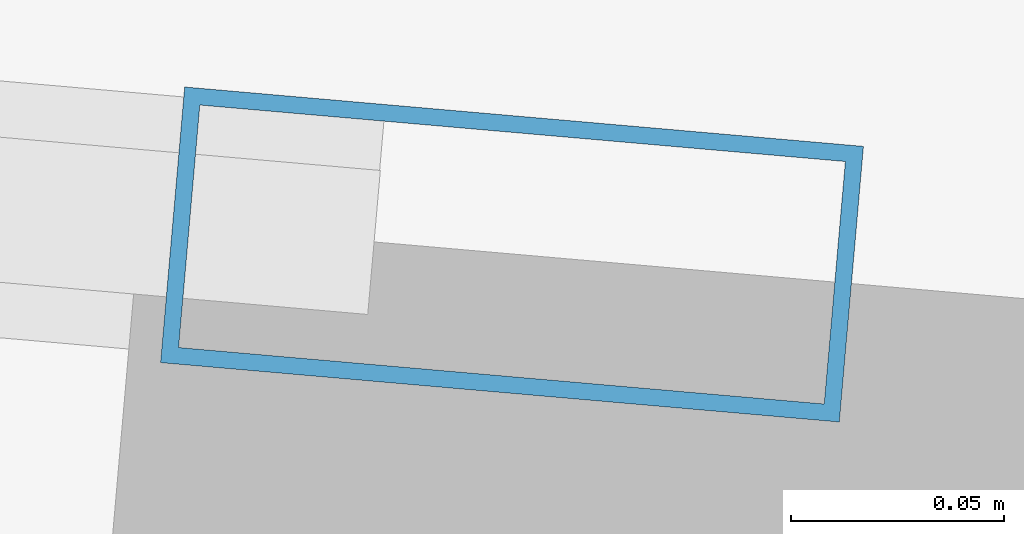
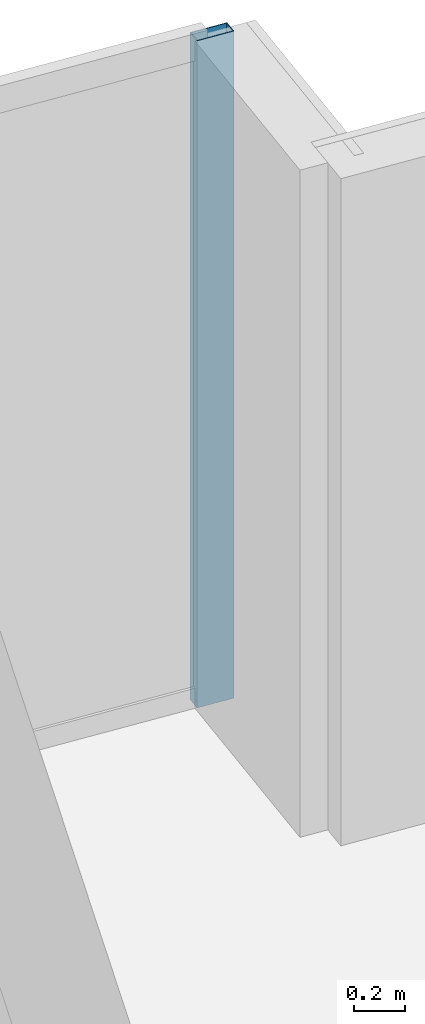
# One storey, part 22 of 33: 1 member, 1 element without a shape of its own.
"""IFC4 building model written with IfcOpenShell, lengths in metres."""

from ifc_helpers import new_model, si_unit, direction, frame, origin, origin_2d, place, context, subcontext, project, spatial, hollow_rectangle, extrude, material, material_profile, profile_set, type_object, element, aggregate, save


model = new_model("IFC4")

# Units and contexts
model_context = context("Model", 3, precision=1e-05, world=origin(), true_north=direction((0.0, 1.0)))
body_context = subcontext(model_context, "Body", "Model", "MODEL_VIEW")
ifc_project = project(units=[si_unit("LENGTHUNIT", "METRE"), si_unit("AREAUNIT", "SQUARE_METRE"), si_unit("VOLUMEUNIT", "CUBIC_METRE"), si_unit("PLANEANGLEUNIT", "RADIAN"), si_unit("MASSUNIT", "GRAM", prefix="KILO")], contexts=[model_context])

# Site, building, storey
site_placement = place(None, origin())
site = spatial("IfcSite", under=ifc_project, at=site_placement, CompositionType="ELEMENT")
building_placement = place(site_placement, origin())
building = spatial("IfcBuilding", under=site, at=building_placement, Name="Yelkora Congress Tower", CompositionType="ELEMENT")
storey_placement = place(building_placement, frame((0.0, 0.0, 282.89990234375)))
storey = spatial("IfcBuildingStorey", under=building, at=storey_placement, Name="L79", CompositionType="ELEMENT", Elevation=282.89990234375)

# Curtain wall, member
ifc_material_1 = material(Name="Anodised aluminium and insulated glass", Category="aluminium")
curtain_wall_type = type_object("IfcCurtainWallType", Name="CW-SYS-B5", PredefinedType="NOTDEFINED", material=ifc_material_1)
curtain_wall_placement = place(storey_placement, origin())
curtain_wall = element("IfcCurtainWall", 1, at=curtain_wall_placement, inside=storey, type_object=curtain_wall_type, Name="L79 Unitised Curtain Wall 10", PredefinedType="NOTDEFINED")
ifc_material_2 = material(Name="Anodised aluminium 6063-T6", Category="aluminium")
ifc_material_profile = material_profile(ifc_material_2, hollow_rectangle(XDim=0.06494140625, YDim=0.159912109375, WallThickness=0.00390625, at=origin_2d()), Name="ALU 65x160x4")
ifc_profile_set = profile_set([ifc_material_profile], Name="Anodised aluminium 6063-T6")
member_type = type_object("IfcMemberType", Name="MEM-ML-B5", PredefinedType="MULLION", material=ifc_profile_set)
member_placement = place(storey_placement, frame((55.753662109375, 46.44580078125, 0.0), z_axis=(0.0, 0.0, 1.0), x_axis=(0.087156639893, 0.996194619601, 0.0)))
member = element("IfcMember", 2, at=member_placement, type_object=member_type, Name="CW-B5 mullion 8", PredefinedType="MULLION", context=body_context, shape_type="SweptSolid", body=[
    extrude(hollow_rectangle(XDim=0.06494140625, YDim=0.159912109375, WallThickness=0.00390625, at=origin_2d()), origin(), (0.0, 0.0, 1.0), 3.18017578125),
])
aggregate(curtain_wall, [member])

save(model, "model.ifc")
